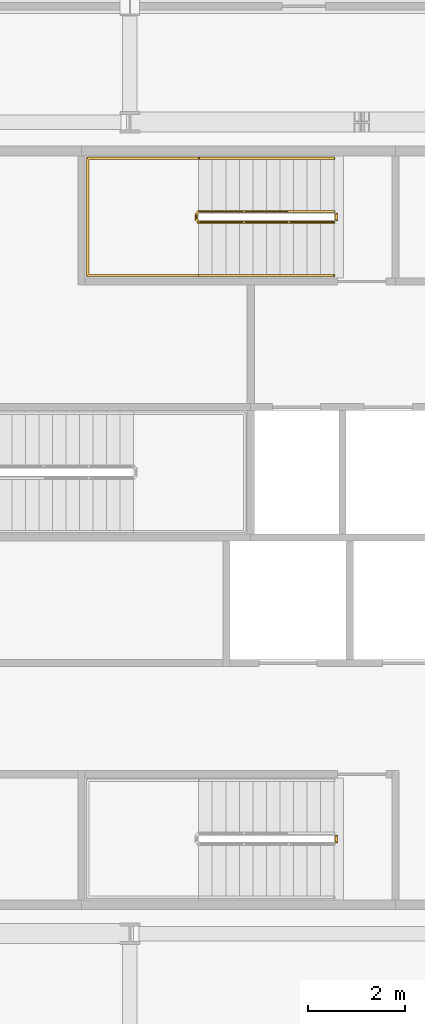
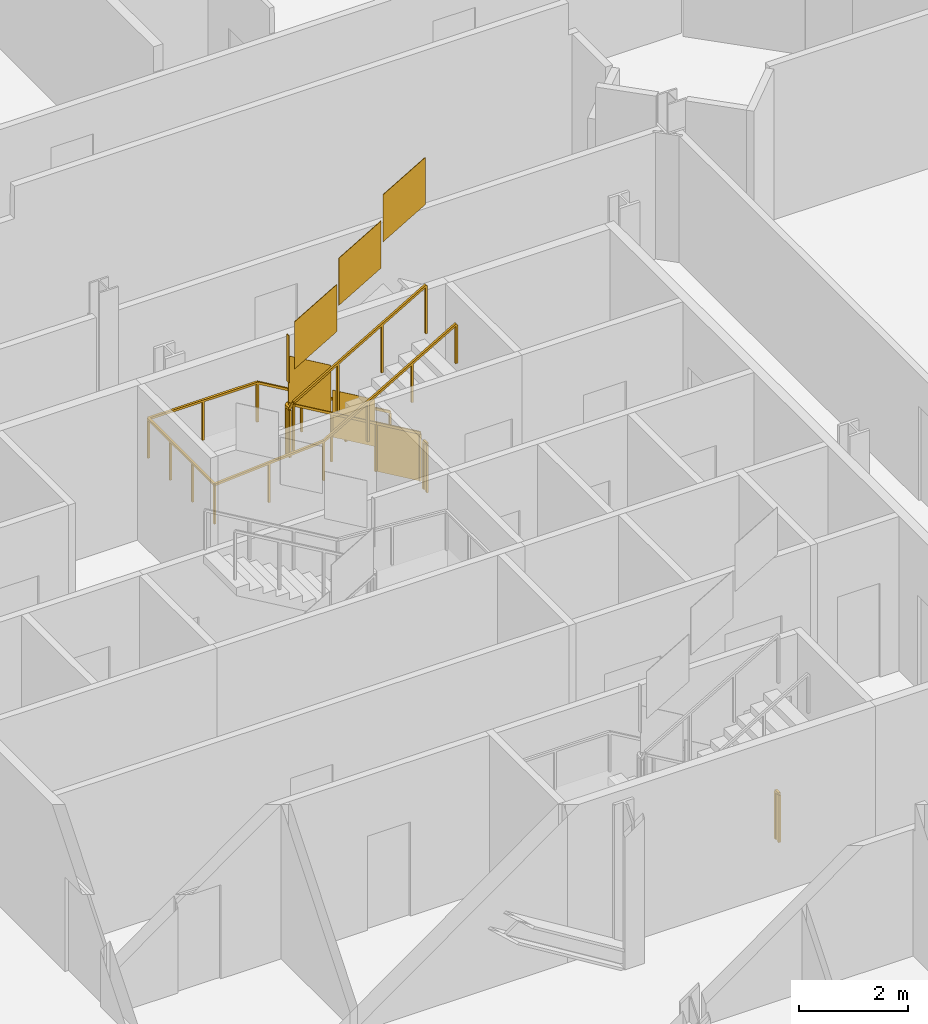
# One storey, part 18 of 21: 4 railings.
"""IFC4 building model written with IfcOpenShell, lengths in metres."""

from ifc_helpers import new_model, si_unit, direction, frame, origin, origin_2d, place, context, subcontext, project, spatial, polyline, rectangle, outline, extrude, material, type_object, element, save


model = new_model("IFC4")

# Units and contexts
model_context = context("Model", 3, precision=1e-05, world=origin(), true_north=direction((0.0, 1.0)))
body_context = subcontext(model_context, "Body", "Model", "MODEL_VIEW")
ifc_project = project(units=[si_unit("LENGTHUNIT", "METRE"), si_unit("AREAUNIT", "SQUARE_METRE"), si_unit("VOLUMEUNIT", "CUBIC_METRE"), si_unit("PLANEANGLEUNIT", "RADIAN"), si_unit("MASSUNIT", "GRAM", prefix="KILO")], contexts=[model_context])

# Site, building, storey
site_placement = place(None, origin())
site = spatial("IfcSite", under=ifc_project, at=site_placement, CompositionType="ELEMENT")
building_placement = place(site_placement, origin())
building = spatial("IfcBuilding", under=site, at=building_placement, Name="Cairn Pilgrim Tower", CompositionType="ELEMENT")
storey_placement = place(building_placement, frame((0.0, 0.0, 157.800048828125)))
storey = spatial("IfcBuildingStorey", under=building, at=storey_placement, Name="L39", CompositionType="ELEMENT", Elevation=157.800048828125)

# Railings
ifc_material = material(Name="Painted steel", Category="steel")
railing_type_1 = type_object("IfcRailingType", Name="STAIR GUARD 1100", PredefinedType="GUARDRAIL", material=ifc_material)
railing_1_placement = place(storey_placement, frame((11.47509765625, -3.97509765625, 0.0)))
element("IfcRailing", 1, at=railing_1_placement, inside=storey, type_object=railing_type_1, Name="L39 ST-A stair guard 2", PredefinedType="GUARDRAIL", context=body_context, shape_type="SweptSolid", body=[
    extrude(rectangle(XDim=0.048095703125, YDim=0.048095703125, at=origin_2d()), frame((0.0, 0.0, 1.076171875), z_axis=(0.0, -1.0, 0.0), x_axis=(1.0, 0.0, 0.0)), (0.0, 0.0, 1.0), 0.125),
    extrude(rectangle(XDim=0.0419921875, YDim=0.0419921875, at=origin_2d()), origin(), (0.0, 0.0, 1.0), 1.052001953125),
    extrude(rectangle(XDim=0.0419921875, YDim=0.0419921875, at=origin_2d()), frame((0.0, -0.125, 0.0)), (0.0, 0.0, 1.0), 1.052001953125),
    extrude(outline(polyline([(0.02099609375, 0.0), (0.10400390625, 0.0), (0.10400390625, 1.052001953125), (0.02099609375, 1.052001953125), (0.02099609375, 0.0)])), frame((0.005859375, 0.0, 0.0), z_axis=(-1.0, 0.0, 0.0), x_axis=(0.0, -1.0, 0.0)), (0.0, 0.0, 1.0), 0.011962890625),
])
railing_2_placement = place(storey_placement, frame((11.425048828125, 8.949951171875, 0.16357421875)))
element("IfcRailing", 2, at=railing_2_placement, inside=storey, type_object=railing_type_1, Name="L39 ST-C stair guard 1", PredefinedType="GUARDRAIL", context=body_context, shape_type="SweptSolid", body=[
    extrude(rectangle(XDim=0.048095703125, YDim=0.048095703125, at=origin_2d()), frame((0.0, 0.0, 1.076171875), z_axis=(-0.863360870873, 0.0, 0.504586966384), x_axis=(0.0, -1.0, 0.0)), (0.0, 0.0, 1.0), 3.2431640625),
    extrude(rectangle(XDim=0.048095703125, YDim=0.048095703125, at=origin_2d()), frame((-2.800048828125, 0.0, 2.71240234375), z_axis=(-0.707106781187, -0.707106781187, 0.0), x_axis=(0.707106781187, -0.707106781187, 0.0)), (0.0, 0.0, 1.0), 0.07080078125),
    extrude(rectangle(XDim=0.048095703125, YDim=0.048095703125, at=origin_2d()), frame((-2.85009765625, -0.050048828125, 2.71240234375), z_axis=(0.0, -1.0, 0.0), x_axis=(1.0, 0.0, 0.0)), (0.0, 0.0, 1.0), 0.125),
    extrude(rectangle(XDim=0.048095703125, YDim=0.048095703125, at=origin_2d()), frame((-2.85009765625, -0.175048828125, 2.71240234375), z_axis=(0.280916556609, -0.279546231943, 0.91811752648), x_axis=(0.705375805398, 0.708833529934, 0.0)), (0.0, 0.0, 1.0), 0.17822265625),
    extrude(rectangle(XDim=0.048095703125, YDim=0.048095703125, at=origin_2d()), frame((-2.800048828125, -0.224853515625, 2.8759765625), z_axis=(0.863393664356, 0.0, 0.504530851732), x_axis=(0.0, 1.0, 0.0)), (0.0, 0.0, 1.0), 3.2431640625),
    extrude(rectangle(XDim=0.0419921875, YDim=0.0419921875, at=origin_2d()), origin(), (0.0, 0.0, 1.0), 1.052001953125),
    extrude(rectangle(XDim=0.0419921875, YDim=0.0419921875, at=origin_2d()), frame((-0.933349609375, 0.0, 0.54541015625)), (0.0, 0.0, 1.0), 1.052001953125),
    extrude(rectangle(XDim=0.0419921875, YDim=0.0419921875, at=origin_2d()), frame((-1.86669921875, 0.0, 1.091064453125)), (0.0, 0.0, 1.0), 1.052001953125),
    extrude(rectangle(XDim=0.0419921875, YDim=0.0419921875, at=origin_2d()), frame((-2.800048828125, 0.0, 1.636474609375)), (0.0, 0.0, 1.0), 1.052001953125),
    extrude(rectangle(XDim=0.0419921875, YDim=0.0419921875, at=origin_2d()), frame((-2.85009765625, -0.050048828125, 1.636474609375)), (0.0, 0.0, 1.0), 1.052001953125),
    extrude(rectangle(XDim=0.0419921875, YDim=0.0419921875, at=origin_2d()), frame((-2.85009765625, -0.175048828125, 1.636474609375)), (0.0, 0.0, 1.0), 1.052001953125),
    extrude(rectangle(XDim=0.0419921875, YDim=0.0419921875, at=origin_2d()), frame((-2.800048828125, -0.224853515625, 1.800048828125)), (0.0, 0.0, 1.0), 1.052001953125),
    extrude(rectangle(XDim=0.0419921875, YDim=0.0419921875, at=origin_2d()), frame((-1.86669921875, -0.224853515625, 2.345458984375)), (0.0, 0.0, 1.0), 1.052001953125),
    extrude(rectangle(XDim=0.0419921875, YDim=0.0419921875, at=origin_2d()), frame((-0.933349609375, -0.224853515625, 2.890869140625)), (0.0, 0.0, 1.0), 1.052001953125),
    extrude(rectangle(XDim=0.0419921875, YDim=0.0419921875, at=origin_2d()), frame((0.0, -0.224853515625, 3.436279296875)), (0.0, 0.0, 1.0), 1.052001953125),
    extrude(outline(polyline([(0.02099609375, 0.01220703125), (0.912353515625, 0.533203125), (0.912353515625, 1.585205078125), (0.02099609375, 1.064208984375), (0.02099609375, 0.01220703125)])), frame((0.0, -0.005859375, 0.0), z_axis=(0.0, 1.0, 0.0), x_axis=(-1.0, 0.0, 0.0)), (0.0, 0.0, 1.0), 0.011962890625),
    extrude(outline(polyline([(0.02099609375, 0.557861328125), (0.912353515625, 1.07861328125), (0.912353515625, 2.130615234375), (0.02099609375, 1.60986328125), (0.02099609375, 0.557861328125)])), frame((-0.933349609375, -0.005859375, 0.54541015625), z_axis=(0.0, 1.0, 0.0), x_axis=(-1.0, 0.0, 0.0)), (0.0, 0.0, 1.0), 0.011962890625),
    extrude(outline(polyline([(0.02099609375, 1.103271484375), (0.912353515625, 1.624267578125), (0.912353515625, 2.67626953125), (0.02099609375, 2.1552734375), (0.02099609375, 1.103271484375)])), frame((-1.86669921875, -0.005859375, 1.091064453125), z_axis=(0.0, 1.0, 0.0), x_axis=(-1.0, 0.0, 0.0)), (0.0, 0.0, 1.0), 0.011962890625),
    extrude(outline(polyline([(0.02099609375, 1.636474609375), (0.10400390625, 1.636474609375), (0.10400390625, 2.6884765625), (0.02099609375, 2.6884765625), (0.02099609375, 1.636474609375)])), frame((-2.84423828125, -0.050048828125, 1.636474609375), z_axis=(-1.0, 0.0, 0.0), x_axis=(0.0, -1.0, 0.0)), (0.0, 0.0, 1.0), 0.011962890625),
    extrude(outline(polyline([(0.02099609375, 1.812255859375), (0.912353515625, 2.333251953125), (0.912353515625, 3.38525390625), (0.02099609375, 2.8642578125), (0.02099609375, 1.812255859375)])), frame((-2.800048828125, -0.21875, 1.800048828125), z_axis=(0.0, -1.0, 0.0), x_axis=(1.0, 0.0, 0.0)), (0.0, 0.0, 1.0), 0.011962890625),
    extrude(outline(polyline([(0.02099609375, 2.357666015625), (0.912353515625, 2.878662109375), (0.912353515625, 3.9306640625), (0.02099609375, 3.40966796875), (0.02099609375, 2.357666015625)])), frame((-1.86669921875, -0.21875, 2.345458984375), z_axis=(0.0, -1.0, 0.0), x_axis=(1.0, 0.0, 0.0)), (0.0, 0.0, 1.0), 0.011962890625),
    extrude(outline(polyline([(0.02099609375, 2.903076171875), (0.912353515625, 3.424072265625), (0.912353515625, 4.47607421875), (0.02099609375, 3.955078125), (0.02099609375, 2.903076171875)])), frame((-0.933349609375, -0.21875, 2.890869140625), z_axis=(0.0, -1.0, 0.0), x_axis=(1.0, 0.0, 0.0)), (0.0, 0.0, 1.0), 0.011962890625),
])
railing_3_placement = place(storey_placement, frame((11.47509765625, 8.89990234375, 0.0)))
element("IfcRailing", 3, at=railing_3_placement, inside=storey, type_object=railing_type_1, Name="L39 ST-C stair guard 2", PredefinedType="GUARDRAIL", context=body_context, shape_type="SweptSolid", body=[
    extrude(rectangle(XDim=0.048095703125, YDim=0.048095703125, at=origin_2d()), frame((0.0, 0.0, 1.076171875), z_axis=(0.0, -1.0, 0.0), x_axis=(1.0, 0.0, 0.0)), (0.0, 0.0, 1.0), 0.125),
    extrude(rectangle(XDim=0.0419921875, YDim=0.0419921875, at=origin_2d()), origin(), (0.0, 0.0, 1.0), 1.052001953125),
    extrude(rectangle(XDim=0.0419921875, YDim=0.0419921875, at=origin_2d()), frame((0.0, -0.125, 0.0)), (0.0, 0.0, 1.0), 1.052001953125),
    extrude(outline(polyline([(0.02099609375, 0.0), (0.10400390625, 0.0), (0.10400390625, 1.052001953125), (0.02099609375, 1.052001953125), (0.02099609375, 0.0)])), frame((0.005859375, 0.0, 0.0), z_axis=(-1.0, 0.0, 0.0), x_axis=(0.0, -1.0, 0.0)), (0.0, 0.0, 1.0), 0.011962890625),
])
railing_type_2 = type_object("IfcRailingType", Name="STAIR HANDRAIL 900", PredefinedType="HANDRAIL", material=ifc_material)
railing_4_placement = place(storey_placement, frame((11.425048828125, 10.050048828125, 0.16357421875)))
element("IfcRailing", 4, at=railing_4_placement, inside=storey, type_object=railing_type_2, Name="L39 ST-C stair handrail 1", PredefinedType="HANDRAIL", context=body_context, shape_type="SweptSolid", body=[
    extrude(rectangle(XDim=0.048095703125, YDim=0.048095703125, at=origin_2d()), frame((0.0, 0.0, 0.8759765625), z_axis=(-0.863360870873, 0.0, 0.504586966384), x_axis=(0.0, -1.0, 0.0)), (0.0, 0.0, 1.0), 3.2431640625),
    extrude(rectangle(XDim=0.048095703125, YDim=0.048095703125, at=origin_2d()), frame((-2.800048828125, 0.0, 2.51220703125), z_axis=(-1.0, 0.0, 0.0), x_axis=(0.0, -1.0, 0.0)), (0.0, 0.0, 1.0), 2.300048828125),
    extrude(rectangle(XDim=0.048095703125, YDim=0.048095703125, at=origin_2d()), frame((-5.10009765625, 0.0, 2.51220703125), z_axis=(0.0, -1.0, 0.0), x_axis=(1.0, 0.0, 0.0)), (0.0, 0.0, 1.0), 2.425048828125),
    extrude(rectangle(XDim=0.048095703125, YDim=0.048095703125, at=origin_2d()), frame((-5.10009765625, -2.425048828125, 2.51220703125), z_axis=(0.997480687736, 0.0, 0.070938548008), x_axis=(0.0, 1.0, 0.0)), (0.0, 0.0, 1.0), 2.305908203125),
    extrude(rectangle(XDim=0.048095703125, YDim=0.048095703125, at=origin_2d()), frame((-2.800048828125, -2.425048828125, 2.67578125), z_axis=(0.863393664356, 0.0, 0.504530851732), x_axis=(0.0, 1.0, 0.0)), (0.0, 0.0, 1.0), 3.2431640625),
    extrude(rectangle(XDim=0.0419921875, YDim=0.0419921875, at=origin_2d()), origin(), (0.0, 0.0, 1.0), 0.851806640625),
    extrude(rectangle(XDim=0.0419921875, YDim=0.0419921875, at=origin_2d()), frame((-0.933349609375, 0.0, 0.54541015625)), (0.0, 0.0, 1.0), 0.851806640625),
    extrude(rectangle(XDim=0.0419921875, YDim=0.0419921875, at=origin_2d()), frame((-1.86669921875, 0.0, 1.091064453125)), (0.0, 0.0, 1.0), 0.851806640625),
    extrude(rectangle(XDim=0.0419921875, YDim=0.0419921875, at=origin_2d()), frame((-2.800048828125, 0.0, 1.636474609375)), (0.0, 0.0, 1.0), 0.851806640625),
    extrude(rectangle(XDim=0.0419921875, YDim=0.0419921875, at=origin_2d()), frame((-3.9501953125, 0.0, 1.636474609375)), (0.0, 0.0, 1.0), 0.851806640625),
    extrude(rectangle(XDim=0.0419921875, YDim=0.0419921875, at=origin_2d()), frame((-5.10009765625, 0.0, 1.636474609375)), (0.0, 0.0, 1.0), 0.851806640625),
    extrude(rectangle(XDim=0.0419921875, YDim=0.0419921875, at=origin_2d()), frame((-5.10009765625, -0.808349609375, 1.636474609375)), (0.0, 0.0, 1.0), 0.851806640625),
    extrude(rectangle(XDim=0.0419921875, YDim=0.0419921875, at=origin_2d()), frame((-5.10009765625, -1.61669921875, 1.636474609375)), (0.0, 0.0, 1.0), 0.851806640625),
    extrude(rectangle(XDim=0.0419921875, YDim=0.0419921875, at=origin_2d()), frame((-5.10009765625, -2.425048828125, 1.636474609375)), (0.0, 0.0, 1.0), 0.851806640625),
    extrude(rectangle(XDim=0.0419921875, YDim=0.0419921875, at=origin_2d()), frame((-3.9501953125, -2.425048828125, 1.71826171875)), (0.0, 0.0, 1.0), 0.851806640625),
    extrude(rectangle(XDim=0.0419921875, YDim=0.0419921875, at=origin_2d()), frame((-2.800048828125, -2.425048828125, 1.800048828125)), (0.0, 0.0, 1.0), 0.851806640625),
    extrude(rectangle(XDim=0.0419921875, YDim=0.0419921875, at=origin_2d()), frame((-1.86669921875, -2.425048828125, 2.345458984375)), (0.0, 0.0, 1.0), 0.851806640625),
    extrude(rectangle(XDim=0.0419921875, YDim=0.0419921875, at=origin_2d()), frame((-0.933349609375, -2.425048828125, 2.890869140625)), (0.0, 0.0, 1.0), 0.851806640625),
    extrude(rectangle(XDim=0.0419921875, YDim=0.0419921875, at=origin_2d()), frame((0.0, -2.425048828125, 3.436279296875)), (0.0, 0.0, 1.0), 0.851806640625),
])

save(model, "model.ifc")
